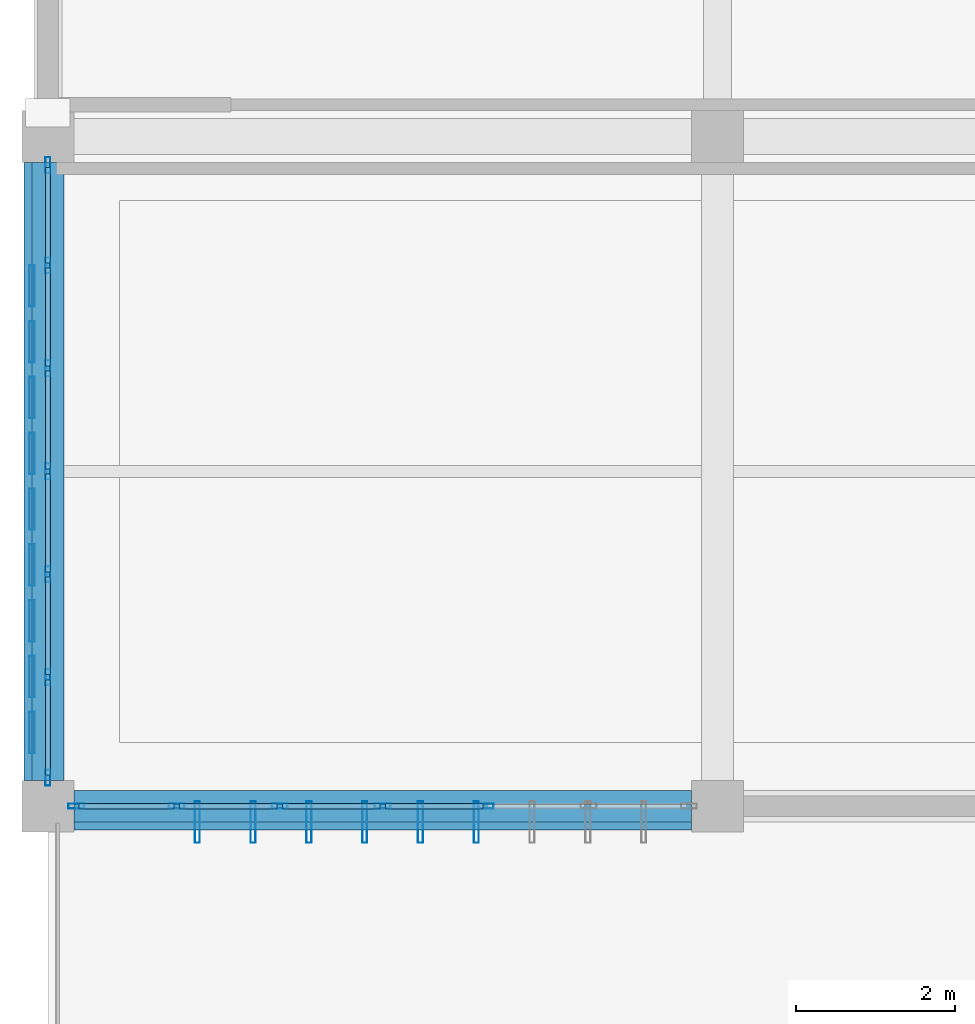
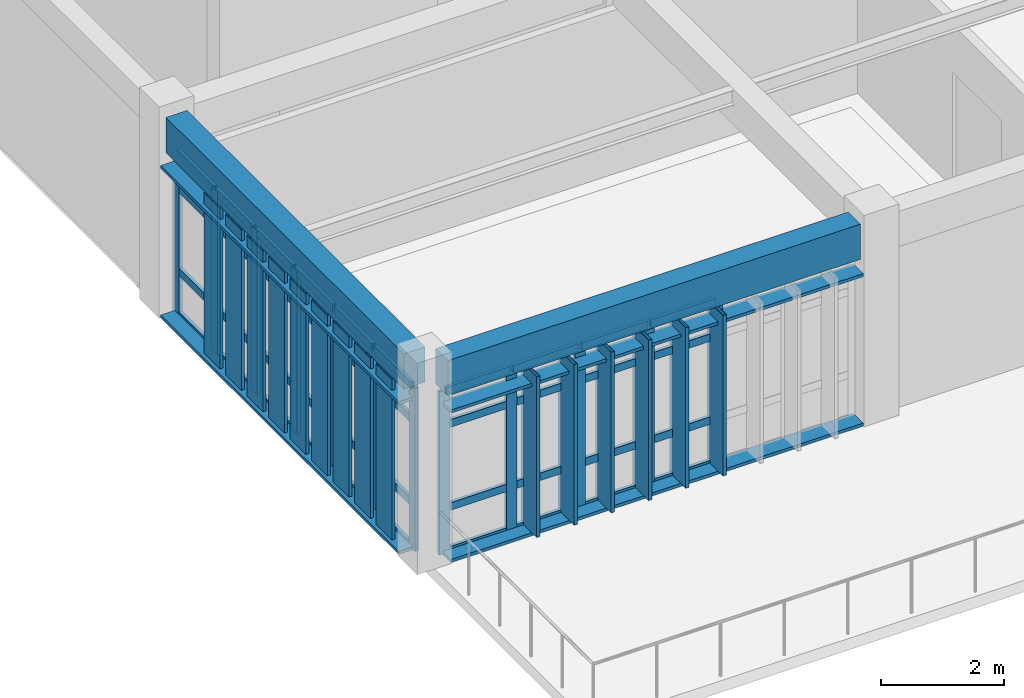
# One storey, part 4 of 23: 71 members, 2 beams, 2 elements without a shape of their own.
"""IFC4 building model written with IfcOpenShell, lengths in metres."""

import ifcopenshell
import ifcopenshell.guid

model = None  # the IFC model being written
_history = None  # IfcOwnerHistory: only IFC2X3 demands one
_inside = {}  # id of a spatial element -> (the spatial element, [elements in it])
_under = {}  # id of a project, library or spatial element -> (it, [spatial elements below it])
_declared = {}  # id of a project -> (the project, [libraries it declares])
_typed = {}  # id of a type object -> (the type object, [elements of that type])
_made_of = {}  # id of a material, layer set ... -> (it, [elements and type objects made of it])


def new_model(schema):
    """Start an empty IFC model of exactly this schema.

    Asked for "IFC4X3", IfcOpenShell would pick the latest addendum, in which some entities
    have other attributes; the version numbers below select the first issue.
    IFC2X3 requires an IfcOwnerHistory on every rooted entity: one is made here for all.
    """
    global model, _history
    if schema == "IFC4X3":
        model = ifcopenshell.file(schema_version=(4, 3, 0, 0))
    else:
        model = ifcopenshell.file(schema=schema)
    _inside.clear()
    _under.clear()
    _declared.clear()
    _typed.clear()
    _made_of.clear()
    _history = None
    if model.schema == "IFC2X3":
        org = make("IfcOrganization", Name="unknown")
        user = make(
            "IfcPersonAndOrganization",
            ThePerson=make("IfcPerson", FamilyName="unknown"),
            TheOrganization=org,
        )
        app = make(
            "IfcApplication",
            ApplicationDeveloper=org,
            Version="unknown",
            ApplicationFullName="unknown",
            ApplicationIdentifier="unknown",
        )
        _history = make(
            "IfcOwnerHistory",
            OwningUser=user,
            OwningApplication=app,
            ChangeAction="ADDED",
            CreationDate=0,
        )
    return model


def make(cls, **values):
    """One entity of the class cls with the attributes given. An attribute that is None is left unset."""
    return model.create_entity(
        cls, **{name: value for name, value in values.items() if value is not None}
    )


def rooted(cls, **values):
    """An entity with a GlobalId (a new one), such as an element, a storey or a relation."""
    return make(cls, GlobalId=ifcopenshell.guid.new(), OwnerHistory=_history, **values)


def si_unit(unit_type, name, prefix=None):
    """IfcSIUnit, for example si_unit("LENGTHUNIT", "METRE", prefix="MILLI")."""
    return make("IfcSIUnit", UnitType=unit_type, Prefix=prefix, Name=name)


def assignment(units):
    """IfcUnitAssignment: the units of a project."""
    return None if units is None else make("IfcUnitAssignment", Units=units)


def point(xyz):
    """IfcCartesianPoint."""
    return None if xyz is None else make("IfcCartesianPoint", Coordinates=xyz)


def direction(xyz):
    """IfcDirection."""
    return None if xyz is None else make("IfcDirection", DirectionRatios=xyz)


def frame(location, z_axis=None, x_axis=None):
    """IfcAxis2Placement3D, a coordinate frame: its origin and axes. An axis left out is left unset."""
    return make(
        "IfcAxis2Placement3D",
        Location=point(location),
        Axis=direction(z_axis),
        RefDirection=direction(x_axis),
    )


def frame_2d(location, x_axis=None):
    """IfcAxis2Placement2D, a coordinate frame in the plane: its origin and x axis."""
    return make(
        "IfcAxis2Placement2D", Location=point(location), RefDirection=direction(x_axis)
    )


def origin():
    """The frame at (0, 0, 0) with its axes left unset."""
    return frame((0.0, 0.0, 0.0))


def origin_2d():
    """The frame at (0, 0) in the plane with its x axis left unset."""
    return frame_2d((0.0, 0.0))


def place(relative_to, where):
    """IfcLocalPlacement: puts the frame where relative to a parent placement (None: the world)."""
    return make(
        "IfcLocalPlacement", PlacementRelTo=relative_to, RelativePlacement=where
    )


def context(
    kind, dimensions, precision=None, world=None, true_north=None, identifier=None
):
    """IfcGeometricRepresentationContext, for example the 3D "Model" context."""
    return make(
        "IfcGeometricRepresentationContext",
        ContextIdentifier=identifier,
        ContextType=kind,
        CoordinateSpaceDimension=dimensions,
        Precision=precision,
        WorldCoordinateSystem=world,
        TrueNorth=true_north,
    )


def subcontext(parent, identifier, kind, view, scale=None):
    """IfcGeometricRepresentationSubContext, for example "Body" below "Model"."""
    return make(
        "IfcGeometricRepresentationSubContext",
        ContextIdentifier=identifier,
        ContextType=kind,
        ParentContext=parent,
        TargetScale=scale,
        TargetView=view,
    )


def project(units=None, contexts=None):
    """IfcProject with its units and contexts."""
    return rooted(
        "IfcProject",
        Name="project",
        RepresentationContexts=contexts,
        UnitsInContext=assignment(units),
    )


def spatial(cls, under=None, at=None, **own):
    """A site, building, storey or space (cls), placed at a placement, below another one or the project."""
    s = rooted(cls, ObjectPlacement=at, **own)
    if under is not None:
        _under.setdefault(under.id(), (under, []))[1].append(s)
    return s


def profile(cls, at=None, kind="AREA", **sizes):
    """A parametric profile (cls). Its sizes go by their IFC names, for example OverallWidth=200.0."""
    return make(cls, ProfileType=kind, Position=at, **sizes)


def rectangle(**sizes):
    """IfcRectangleProfileDef."""
    return profile("IfcRectangleProfileDef", **sizes)


def hollow_rectangle(**sizes):
    """IfcRectangleHollowProfileDef."""
    return profile("IfcRectangleHollowProfileDef", **sizes)


def extrude(swept, where, along, depth):
    """IfcExtrudedAreaSolid: the profile swept, set in the frame where, extruded along a direction by depth."""
    return make(
        "IfcExtrudedAreaSolid",
        SweptArea=swept,
        Position=where,
        ExtrudedDirection=direction(along),
        Depth=depth,
    )


def shape(context_of_items, identifier, shape_type, items):
    """IfcShapeRepresentation: the items that make up one representation, for example the "Body"."""
    return make(
        "IfcShapeRepresentation",
        ContextOfItems=context_of_items,
        RepresentationIdentifier=identifier,
        RepresentationType=shape_type,
        Items=items,
    )


def material(Name=None, Category=None):
    """IfcMaterial."""
    return make("IfcMaterial", Name=Name, Category=Category)


def layer(
    of_material, thickness, ventilated=None, Name=None, Category=None, Priority=None
):
    """IfcMaterialLayer: one layer of a wall or slab, of a material (None: an air gap)."""
    return make(
        "IfcMaterialLayer",
        Material=of_material,
        LayerThickness=thickness,
        IsVentilated=ventilated,
        Name=Name,
        Category=Category,
        Priority=Priority,
    )


def layer_set(layers, Name=None):
    """IfcMaterialLayerSet."""
    return make("IfcMaterialLayerSet", MaterialLayers=layers, LayerSetName=Name)


def material_profile(
    of_material, cross_section, Name=None, Category=None, Priority=None
):
    """IfcMaterialProfile: a cross section and its material."""
    return make(
        "IfcMaterialProfile",
        Name=Name,
        Material=of_material,
        Profile=cross_section,
        Priority=Priority,
        Category=Category,
    )


def profile_set(profiles, Name=None, composite=None):
    """IfcMaterialProfileSet."""
    return make(
        "IfcMaterialProfileSet",
        Name=Name,
        MaterialProfiles=profiles,
        CompositeProfile=composite,
    )


def made_of(thing, what):
    """Note that an element or type object is made of a material, layer set ...; save() writes the relation."""
    if what is not None:
        _made_of.setdefault(what.id(), (what, []))[1].append(thing)
    return thing


def type_object(cls, material=None, **own):
    """A type object (cls), such as IfcWallType, which elements share."""
    return made_of(rooted(cls, **own), material)


def element(
    cls,
    number,
    at=None,
    inside=None,
    cuts=None,
    type_object=None,
    material=None,
    context=None,
    identifier="Body",
    shape_type=None,
    held_by="IfcProductDefinitionShape",
    body=None,
    shapes=None,
    **own,
):
    """One element of the class cls, such as IfcWall. Its Tag is "e" and its number.

    at: its placement. inside: the storey or other place that contains it. cuts: it is an
    opening in that element (IfcRelVoidsElement). A single representation is given by context,
    identifier, shape_type and body (its items); several are given by shapes. held_by: the class
    of the entity that holds the representations. save() writes the other relations.
    """
    e = rooted(cls, Tag="e%d" % number, ObjectPlacement=at, **own)
    if body is not None:
        shapes = [shape(context, identifier, shape_type, body)]
    if shapes is not None:
        e.Representation = make(held_by, Representations=shapes)
    if inside is not None:
        _inside.setdefault(inside.id(), (inside, []))[1].append(e)
    if cuts is not None:
        rooted(
            "IfcRelVoidsElement", RelatingBuildingElement=cuts, RelatedOpeningElement=e
        )
    if type_object is not None:
        _typed.setdefault(type_object.id(), (type_object, []))[1].append(e)
    return made_of(e, material)


def aggregate(whole, parts):
    """IfcRelAggregates: a whole, such as a stair, and the parts it consists of."""
    return rooted("IfcRelAggregates", RelatingObject=whole, RelatedObjects=parts)


def save(model, path):
    """Write the relations noted so far, then the file.

    IfcRelAggregates (storeys below a building ...), IfcRelContainedInSpatialStructure (elements
    in a storey), IfcRelDefinesByType, IfcRelAssociatesMaterial and IfcRelDeclares: one each for
    every whole, place, type object, material and project.
    """
    for whole, parts in _under.values():
        aggregate(whole, parts)
    for where, things in _inside.values():
        rooted(
            "IfcRelContainedInSpatialStructure",
            RelatedElements=things,
            RelatingStructure=where,
        )
    for kind, things in _typed.values():
        rooted("IfcRelDefinesByType", RelatedObjects=things, RelatingType=kind)
    for what, things in _made_of.values():
        rooted("IfcRelAssociatesMaterial", RelatedObjects=things, RelatingMaterial=what)
    for by, libraries in _declared.values():
        rooted("IfcRelDeclares", RelatingContext=by, RelatedDefinitions=libraries)
    model.write(path)


model = new_model("IFC4")

# Units and contexts
model_context = context("Model", 3, precision=1e-05, world=origin(), true_north=direction((0.0, 1.0)))
body_context = subcontext(model_context, "Body", "Model", "MODEL_VIEW")
ifc_project = project(units=[si_unit("LENGTHUNIT", "METRE"), si_unit("AREAUNIT", "SQUARE_METRE"), si_unit("VOLUMEUNIT", "CUBIC_METRE"), si_unit("PLANEANGLEUNIT", "RADIAN"), si_unit("MASSUNIT", "GRAM", prefix="KILO")], contexts=[model_context])

# Site, building, storey
site_placement = place(None, origin())
site = spatial("IfcSite", under=ifc_project, at=site_placement, CompositionType="ELEMENT")
building_placement = place(site_placement, origin())
building = spatial("IfcBuilding", under=site, at=building_placement, Name="Krzemoval Escarpment Law Courts", CompositionType="ELEMENT")
storey_placement = place(building_placement, frame((0.0, 0.0, 25.199951171875)))
storey = spatial("IfcBuildingStorey", under=building, at=storey_placement, Name="L05", CompositionType="ELEMENT", Elevation=25.199951171875)

# Beams
ifc_material_1 = material(Name="Concrete C40/50", Category="concrete")
ifc_material_profile_1 = material_profile(ifc_material_1, rectangle(XDim=0.39990234375, YDim=0.699951171875, at=origin_2d()), Name="RCB 400x700")
ifc_profile_set_1 = profile_set([ifc_material_profile_1], Name="Concrete C40/50")
beam_type = type_object("IfcBeamType", Name="BM-RC-400x700", PredefinedType="BEAM", material=ifc_profile_set_1)
for number, where, z_axis, x_axis, name in (
    (1, (126.324951171875, 85.199951171875, 3.60009765625), (1.0, 0.0, 0.0), (0.0, 1.0, 0.0), "Beam FG-L05-2566"),
    (2, (126.0, 85.52490234375, 3.60009765625), (0.0, 1.0, 0.0), (-1.0, 0.0, 0.0), "Beam FG-L05-2597"),
):
    element("IfcBeam", number, at=place(storey_placement, frame(where, z_axis=z_axis, x_axis=x_axis)), inside=storey, type_object=beam_type, Name=name, PredefinedType="BEAM", context=body_context, shape_type="SweptSolid", body=[
        extrude(rectangle(XDim=0.39990234375, YDim=0.699951171875, at=origin_2d()), origin(), (0.0, 0.0, 1.0), 7.75),
    ])

# Curtain wall, members
ifc_material_2 = material(Name="Aluminium 6063-T6", Category="aluminium")
ifc_layer = layer(ifc_material_2, 0.219970703125)
ifc_layer_set = layer_set([ifc_layer], Name="Aluminium 6063-T6")
curtain_wall_type = type_object("IfcCurtainWallType", Name="CW-CHMB-4200", PredefinedType="USERDEFINED", material=ifc_layer_set)
curtain_wall_1_placement = place(storey_placement, origin())
curtain_wall_1 = element("IfcCurtainWall", 3, at=curtain_wall_1_placement, inside=storey, type_object=curtain_wall_type, Name="Unitised Curtain Wall FCW-L05-133", ObjectType="UNITISED_CURTAIN_WALL", PredefinedType="USERDEFINED")
ifc_material_3 = material(Name="Aluminium 6063-T6", Category="aluminium")
ifc_material_profile_2 = material_profile(ifc_material_3, hollow_rectangle(XDim=0.06494140625, YDim=0.199951171875, WallThickness=0.00439453125, at=origin_2d()), Name="ALU M65x200")
ifc_profile_set_2 = profile_set([ifc_material_profile_2], Name="Aluminium 6063-T6")
member_type_1 = type_object("IfcMemberType", Name="CWM-65x200", PredefinedType="MULLION", material=ifc_profile_set_2)
member_1_placement = place(storey_placement, frame((131.49169921875, 85.199951171875, 0.0), z_axis=(0.0, 0.0, 1.0), x_axis=(0.0, -1.0, 0.0)))
member_1 = element("IfcMember", 4, at=member_1_placement, type_object=member_type_1, Name="FCW-L05-133 mullion 3", PredefinedType="MULLION", context=body_context, shape_type="SweptSolid", body=[
    extrude(hollow_rectangle(XDim=0.06494140625, YDim=0.199951171875, WallThickness=0.00439453125, at=origin_2d()), origin(), (0.0, 0.0, 1.0), 3.25),
])
member_2_placement = place(storey_placement, frame((130.199951171875, 85.199951171875, 0.0), z_axis=(0.0, 0.0, 1.0), x_axis=(0.0, -1.0, 0.0)))
member_2 = element("IfcMember", 5, at=member_2_placement, type_object=member_type_1, Name="FCW-L05-133 mullion 4", PredefinedType="MULLION", context=body_context, shape_type="SweptSolid", body=[
    extrude(hollow_rectangle(XDim=0.06494140625, YDim=0.199951171875, WallThickness=0.00439453125, at=origin_2d()), origin(), (0.0, 0.0, 1.0), 3.25),
])
member_3_placement = place(storey_placement, frame((128.908447265625, 85.199951171875, 0.0), z_axis=(0.0, 0.0, 1.0), x_axis=(0.0, -1.0, 0.0)))
member_3 = element("IfcMember", 6, at=member_3_placement, type_object=member_type_1, Name="FCW-L05-133 mullion 5", PredefinedType="MULLION", context=body_context, shape_type="SweptSolid", body=[
    extrude(hollow_rectangle(XDim=0.06494140625, YDim=0.199951171875, WallThickness=0.00439453125, at=origin_2d()), origin(), (0.0, 0.0, 1.0), 3.25),
])
member_4_placement = place(storey_placement, frame((127.61669921875, 85.199951171875, 0.0), z_axis=(0.0, 0.0, 1.0), x_axis=(0.0, -1.0, 0.0)))
member_4 = element("IfcMember", 7, at=member_4_placement, type_object=member_type_1, Name="FCW-L05-133 mullion 6", PredefinedType="MULLION", context=body_context, shape_type="SweptSolid", body=[
    extrude(hollow_rectangle(XDim=0.06494140625, YDim=0.199951171875, WallThickness=0.00439453125, at=origin_2d()), origin(), (0.0, 0.0, 1.0), 3.25),
])
member_5_placement = place(storey_placement, frame((126.357421875, 85.199951171875, 0.0), z_axis=(0.0, 0.0, 1.0), x_axis=(0.0, -1.0, 0.0)))
member_5 = element("IfcMember", 8, at=member_5_placement, type_object=member_type_1, Name="FCW-L05-133 mullion 7", PredefinedType="MULLION", context=body_context, shape_type="SweptSolid", body=[
    extrude(hollow_rectangle(XDim=0.06494140625, YDim=0.199951171875, WallThickness=0.00439453125, at=origin_2d()), origin(), (0.0, 0.0, 1.0), 3.25),
])

curtain_wall_2_placement = place(storey_placement, origin())
curtain_wall_2 = element("IfcCurtainWall", 9, at=curtain_wall_2_placement, inside=storey, type_object=curtain_wall_type, Name="Unitised Curtain Wall FCW-L05-134", ObjectType="UNITISED_CURTAIN_WALL", PredefinedType="USERDEFINED")
member_6_placement = place(storey_placement, frame((126.0, 85.5576171875, 0.0), z_axis=(0.0, 0.0, 1.0), x_axis=(-1.0, 0.0, 0.0)))
member_6 = element("IfcMember", 10, at=member_6_placement, type_object=member_type_1, Name="FCW-L05-134 mullion 1", PredefinedType="MULLION", context=body_context, shape_type="SweptSolid", body=[
    extrude(hollow_rectangle(XDim=0.06494140625, YDim=0.199951171875, WallThickness=0.00439453125, at=origin_2d()), origin(), (0.0, 0.0, 1.0), 3.25),
])
member_7_placement = place(storey_placement, frame((126.0, 86.816650390625, 0.0), z_axis=(0.0, 0.0, 1.0), x_axis=(-1.0, 0.0, 0.0)))
member_7 = element("IfcMember", 11, at=member_7_placement, type_object=member_type_1, Name="FCW-L05-134 mullion 2", PredefinedType="MULLION", context=body_context, shape_type="SweptSolid", body=[
    extrude(hollow_rectangle(XDim=0.06494140625, YDim=0.199951171875, WallThickness=0.00439453125, at=origin_2d()), origin(), (0.0, 0.0, 1.0), 3.25),
])
member_8_placement = place(storey_placement, frame((126.0, 88.1083984375, 0.0), z_axis=(0.0, 0.0, 1.0), x_axis=(-1.0, 0.0, 0.0)))
member_8 = element("IfcMember", 12, at=member_8_placement, type_object=member_type_1, Name="FCW-L05-134 mullion 3", PredefinedType="MULLION", context=body_context, shape_type="SweptSolid", body=[
    extrude(hollow_rectangle(XDim=0.06494140625, YDim=0.199951171875, WallThickness=0.00439453125, at=origin_2d()), origin(), (0.0, 0.0, 1.0), 3.25),
])
member_9_placement = place(storey_placement, frame((126.0, 89.39990234375, 0.0), z_axis=(0.0, 0.0, 1.0), x_axis=(-1.0, 0.0, 0.0)))
member_9 = element("IfcMember", 13, at=member_9_placement, type_object=member_type_1, Name="FCW-L05-134 mullion 4", PredefinedType="MULLION", context=body_context, shape_type="SweptSolid", body=[
    extrude(hollow_rectangle(XDim=0.06494140625, YDim=0.199951171875, WallThickness=0.00439453125, at=origin_2d()), origin(), (0.0, 0.0, 1.0), 3.25),
])
member_10_placement = place(storey_placement, frame((126.0, 90.691650390625, 0.0), z_axis=(0.0, 0.0, 1.0), x_axis=(-1.0, 0.0, 0.0)))
member_10 = element("IfcMember", 14, at=member_10_placement, type_object=member_type_1, Name="FCW-L05-134 mullion 5", PredefinedType="MULLION", context=body_context, shape_type="SweptSolid", body=[
    extrude(hollow_rectangle(XDim=0.06494140625, YDim=0.199951171875, WallThickness=0.00439453125, at=origin_2d()), origin(), (0.0, 0.0, 1.0), 3.25),
])
member_11_placement = place(storey_placement, frame((126.0, 91.9833984375, 0.0), z_axis=(0.0, 0.0, 1.0), x_axis=(-1.0, 0.0, 0.0)))
member_11 = element("IfcMember", 15, at=member_11_placement, type_object=member_type_1, Name="FCW-L05-134 mullion 6", PredefinedType="MULLION", context=body_context, shape_type="SweptSolid", body=[
    extrude(hollow_rectangle(XDim=0.06494140625, YDim=0.199951171875, WallThickness=0.00439453125, at=origin_2d()), origin(), (0.0, 0.0, 1.0), 3.25),
])
member_12_placement = place(storey_placement, frame((126.0, 93.242431640625, 0.0), z_axis=(0.0, 0.0, 1.0), x_axis=(-1.0, 0.0, 0.0)))
member_12 = element("IfcMember", 16, at=member_12_placement, type_object=member_type_1, Name="FCW-L05-134 mullion 7", PredefinedType="MULLION", context=body_context, shape_type="SweptSolid", body=[
    extrude(hollow_rectangle(XDim=0.06494140625, YDim=0.199951171875, WallThickness=0.00439453125, at=origin_2d()), origin(), (0.0, 0.0, 1.0), 3.25),
])

# Member
ifc_material_4 = material(Name="Aluminium 6063-T6", Category="aluminium")
ifc_material_profile_3 = material_profile(ifc_material_4, hollow_rectangle(XDim=0.06494140625, YDim=0.14990234375, WallThickness=0.00439453125, at=origin_2d()), Name="ALU T65x150")
ifc_profile_set_3 = profile_set([ifc_material_profile_3], Name="Aluminium 6063-T6")
member_type_2 = type_object("IfcMemberType", Name="CWT-65x150", PredefinedType="USERDEFINED", material=ifc_profile_set_3)
member_13_placement = place(storey_placement, frame((131.459228515625, 85.199951171875, 0.032470703125), z_axis=(-1.0, 0.0, 0.0), x_axis=(0.0, -1.0, 0.0)))
member_13 = element("IfcMember", 17, at=member_13_placement, type_object=member_type_2, Name="FCW-L05-133 transom 3.1", ObjectType="TRANSOM", PredefinedType="USERDEFINED", context=body_context, shape_type="SweptSolid", body=[
    extrude(hollow_rectangle(XDim=0.06494140625, YDim=0.14990234375, WallThickness=0.00439453125, at=origin_2d()), origin(), (0.0, 0.0, 1.0), 1.226806640625),
])

member_14_placement = place(storey_placement, frame((131.459228515625, 85.199951171875, 0.900146484375), z_axis=(-1.0, 0.0, 0.0), x_axis=(0.0, -1.0, 0.0)))
member_14 = element("IfcMember", 18, at=member_14_placement, type_object=member_type_2, Name="FCW-L05-133 transom 3.2", ObjectType="TRANSOM", PredefinedType="USERDEFINED", context=body_context, shape_type="SweptSolid", body=[
    extrude(hollow_rectangle(XDim=0.06494140625, YDim=0.14990234375, WallThickness=0.00439453125, at=origin_2d()), origin(), (0.0, 0.0, 1.0), 1.226806640625),
])

member_15_placement = place(storey_placement, frame((131.459228515625, 85.199951171875, 2.550048828125), z_axis=(-1.0, 0.0, 0.0), x_axis=(0.0, -1.0, 0.0)))
member_15 = element("IfcMember", 19, at=member_15_placement, type_object=member_type_2, Name="FCW-L05-133 transom 3.3", ObjectType="TRANSOM", PredefinedType="USERDEFINED", context=body_context, shape_type="SweptSolid", body=[
    extrude(hollow_rectangle(XDim=0.06494140625, YDim=0.14990234375, WallThickness=0.00439453125, at=origin_2d()), origin(), (0.0, 0.0, 1.0), 1.226806640625),
])

member_16_placement = place(storey_placement, frame((131.459228515625, 85.199951171875, 3.217529296875), z_axis=(-1.0, 0.0, 0.0), x_axis=(0.0, -1.0, 0.0)))
member_16 = element("IfcMember", 20, at=member_16_placement, type_object=member_type_2, Name="FCW-L05-133 transom 3.4", ObjectType="TRANSOM", PredefinedType="USERDEFINED", context=body_context, shape_type="SweptSolid", body=[
    extrude(hollow_rectangle(XDim=0.06494140625, YDim=0.14990234375, WallThickness=0.00439453125, at=origin_2d()), origin(), (0.0, 0.0, 1.0), 1.226806640625),
])

member_17_placement = place(storey_placement, frame((130.16748046875, 85.199951171875, 0.032470703125), z_axis=(-1.0, 0.0, 0.0), x_axis=(0.0, -1.0, 0.0)))
member_17 = element("IfcMember", 21, at=member_17_placement, type_object=member_type_2, Name="FCW-L05-133 transom 4.1", ObjectType="TRANSOM", PredefinedType="USERDEFINED", context=body_context, shape_type="SweptSolid", body=[
    extrude(hollow_rectangle(XDim=0.06494140625, YDim=0.14990234375, WallThickness=0.00439453125, at=origin_2d()), origin(), (0.0, 0.0, 1.0), 1.2265625),
])

member_18_placement = place(storey_placement, frame((130.16748046875, 85.199951171875, 0.900146484375), z_axis=(-1.0, 0.0, 0.0), x_axis=(0.0, -1.0, 0.0)))
member_18 = element("IfcMember", 22, at=member_18_placement, type_object=member_type_2, Name="FCW-L05-133 transom 4.2", ObjectType="TRANSOM", PredefinedType="USERDEFINED", context=body_context, shape_type="SweptSolid", body=[
    extrude(hollow_rectangle(XDim=0.06494140625, YDim=0.14990234375, WallThickness=0.00439453125, at=origin_2d()), origin(), (0.0, 0.0, 1.0), 1.2265625),
])

member_19_placement = place(storey_placement, frame((130.16748046875, 85.199951171875, 2.550048828125), z_axis=(-1.0, 0.0, 0.0), x_axis=(0.0, -1.0, 0.0)))
member_19 = element("IfcMember", 23, at=member_19_placement, type_object=member_type_2, Name="FCW-L05-133 transom 4.3", ObjectType="TRANSOM", PredefinedType="USERDEFINED", context=body_context, shape_type="SweptSolid", body=[
    extrude(hollow_rectangle(XDim=0.06494140625, YDim=0.14990234375, WallThickness=0.00439453125, at=origin_2d()), origin(), (0.0, 0.0, 1.0), 1.2265625),
])

member_20_placement = place(storey_placement, frame((130.16748046875, 85.199951171875, 3.217529296875), z_axis=(-1.0, 0.0, 0.0), x_axis=(0.0, -1.0, 0.0)))
member_20 = element("IfcMember", 24, at=member_20_placement, type_object=member_type_2, Name="FCW-L05-133 transom 4.4", ObjectType="TRANSOM", PredefinedType="USERDEFINED", context=body_context, shape_type="SweptSolid", body=[
    extrude(hollow_rectangle(XDim=0.06494140625, YDim=0.14990234375, WallThickness=0.00439453125, at=origin_2d()), origin(), (0.0, 0.0, 1.0), 1.2265625),
])

member_21_placement = place(storey_placement, frame((128.875732421875, 85.199951171875, 0.032470703125), z_axis=(-1.0, 0.0, 0.0), x_axis=(0.0, -1.0, 0.0)))
member_21 = element("IfcMember", 25, at=member_21_placement, type_object=member_type_2, Name="FCW-L05-133 transom 5.1", ObjectType="TRANSOM", PredefinedType="USERDEFINED", context=body_context, shape_type="SweptSolid", body=[
    extrude(hollow_rectangle(XDim=0.06494140625, YDim=0.14990234375, WallThickness=0.00439453125, at=origin_2d()), origin(), (0.0, 0.0, 1.0), 1.2265625),
])

member_22_placement = place(storey_placement, frame((128.875732421875, 85.199951171875, 0.900146484375), z_axis=(-1.0, 0.0, 0.0), x_axis=(0.0, -1.0, 0.0)))
member_22 = element("IfcMember", 26, at=member_22_placement, type_object=member_type_2, Name="FCW-L05-133 transom 5.2", ObjectType="TRANSOM", PredefinedType="USERDEFINED", context=body_context, shape_type="SweptSolid", body=[
    extrude(hollow_rectangle(XDim=0.06494140625, YDim=0.14990234375, WallThickness=0.00439453125, at=origin_2d()), origin(), (0.0, 0.0, 1.0), 1.2265625),
])

member_23_placement = place(storey_placement, frame((128.875732421875, 85.199951171875, 2.550048828125), z_axis=(-1.0, 0.0, 0.0), x_axis=(0.0, -1.0, 0.0)))
member_23 = element("IfcMember", 27, at=member_23_placement, type_object=member_type_2, Name="FCW-L05-133 transom 5.3", ObjectType="TRANSOM", PredefinedType="USERDEFINED", context=body_context, shape_type="SweptSolid", body=[
    extrude(hollow_rectangle(XDim=0.06494140625, YDim=0.14990234375, WallThickness=0.00439453125, at=origin_2d()), origin(), (0.0, 0.0, 1.0), 1.2265625),
])

member_24_placement = place(storey_placement, frame((128.875732421875, 85.199951171875, 3.217529296875), z_axis=(-1.0, 0.0, 0.0), x_axis=(0.0, -1.0, 0.0)))
member_24 = element("IfcMember", 28, at=member_24_placement, type_object=member_type_2, Name="FCW-L05-133 transom 5.4", ObjectType="TRANSOM", PredefinedType="USERDEFINED", context=body_context, shape_type="SweptSolid", body=[
    extrude(hollow_rectangle(XDim=0.06494140625, YDim=0.14990234375, WallThickness=0.00439453125, at=origin_2d()), origin(), (0.0, 0.0, 1.0), 1.2265625),
])

member_25_placement = place(storey_placement, frame((127.584228515625, 85.199951171875, 0.032470703125), z_axis=(-1.0, 0.0, 0.0), x_axis=(0.0, -1.0, 0.0)))
member_25 = element("IfcMember", 29, at=member_25_placement, type_object=member_type_2, Name="FCW-L05-133 transom 6.1", ObjectType="TRANSOM", PredefinedType="USERDEFINED", context=body_context, shape_type="SweptSolid", body=[
    extrude(hollow_rectangle(XDim=0.06494140625, YDim=0.14990234375, WallThickness=0.00439453125, at=origin_2d()), origin(), (0.0, 0.0, 1.0), 1.1943359375),
])

member_26_placement = place(storey_placement, frame((127.584228515625, 85.199951171875, 0.900146484375), z_axis=(-1.0, 0.0, 0.0), x_axis=(0.0, -1.0, 0.0)))
member_26 = element("IfcMember", 30, at=member_26_placement, type_object=member_type_2, Name="FCW-L05-133 transom 6.2", ObjectType="TRANSOM", PredefinedType="USERDEFINED", context=body_context, shape_type="SweptSolid", body=[
    extrude(hollow_rectangle(XDim=0.06494140625, YDim=0.14990234375, WallThickness=0.00439453125, at=origin_2d()), origin(), (0.0, 0.0, 1.0), 1.1943359375),
])

member_27_placement = place(storey_placement, frame((127.584228515625, 85.199951171875, 2.550048828125), z_axis=(-1.0, 0.0, 0.0), x_axis=(0.0, -1.0, 0.0)))
member_27 = element("IfcMember", 31, at=member_27_placement, type_object=member_type_2, Name="FCW-L05-133 transom 6.3", ObjectType="TRANSOM", PredefinedType="USERDEFINED", context=body_context, shape_type="SweptSolid", body=[
    extrude(hollow_rectangle(XDim=0.06494140625, YDim=0.14990234375, WallThickness=0.00439453125, at=origin_2d()), origin(), (0.0, 0.0, 1.0), 1.1943359375),
])

member_28_placement = place(storey_placement, frame((127.584228515625, 85.199951171875, 3.217529296875), z_axis=(-1.0, 0.0, 0.0), x_axis=(0.0, -1.0, 0.0)))
member_28 = element("IfcMember", 32, at=member_28_placement, type_object=member_type_2, Name="FCW-L05-133 transom 6.4", ObjectType="TRANSOM", PredefinedType="USERDEFINED", context=body_context, shape_type="SweptSolid", body=[
    extrude(hollow_rectangle(XDim=0.06494140625, YDim=0.14990234375, WallThickness=0.00439453125, at=origin_2d()), origin(), (0.0, 0.0, 1.0), 1.1943359375),
])

aggregate(curtain_wall_1, [member_1, member_2, member_3, member_4, member_5, member_13, member_14, member_15, member_16, member_17, member_18, member_19, member_20, member_21, member_22, member_23, member_24, member_25, member_26, member_27, member_28])

member_29_placement = place(storey_placement, frame((126.0, 85.590087890625, 0.032470703125), z_axis=(0.0, 1.0, 0.0), x_axis=(-1.0, 0.0, 0.0)))
member_29 = element("IfcMember", 33, at=member_29_placement, type_object=member_type_2, Name="FCW-L05-134 transom 1.1", ObjectType="TRANSOM", PredefinedType="USERDEFINED", context=body_context, shape_type="SweptSolid", body=[
    extrude(hollow_rectangle(XDim=0.06494140625, YDim=0.14990234375, WallThickness=0.00439453125, at=origin_2d()), origin(), (0.0, 0.0, 1.0), 1.194091796875),
])

member_30_placement = place(storey_placement, frame((126.0, 85.590087890625, 0.900146484375), z_axis=(0.0, 1.0, 0.0), x_axis=(-1.0, 0.0, 0.0)))
member_30 = element("IfcMember", 34, at=member_30_placement, type_object=member_type_2, Name="FCW-L05-134 transom 1.2", ObjectType="TRANSOM", PredefinedType="USERDEFINED", context=body_context, shape_type="SweptSolid", body=[
    extrude(hollow_rectangle(XDim=0.06494140625, YDim=0.14990234375, WallThickness=0.00439453125, at=origin_2d()), origin(), (0.0, 0.0, 1.0), 1.194091796875),
])

member_31_placement = place(storey_placement, frame((126.0, 85.590087890625, 2.550048828125), z_axis=(0.0, 1.0, 0.0), x_axis=(-1.0, 0.0, 0.0)))
member_31 = element("IfcMember", 35, at=member_31_placement, type_object=member_type_2, Name="FCW-L05-134 transom 1.3", ObjectType="TRANSOM", PredefinedType="USERDEFINED", context=body_context, shape_type="SweptSolid", body=[
    extrude(hollow_rectangle(XDim=0.06494140625, YDim=0.14990234375, WallThickness=0.00439453125, at=origin_2d()), origin(), (0.0, 0.0, 1.0), 1.194091796875),
])

member_32_placement = place(storey_placement, frame((126.0, 85.590087890625, 3.217529296875), z_axis=(0.0, 1.0, 0.0), x_axis=(-1.0, 0.0, 0.0)))
member_32 = element("IfcMember", 36, at=member_32_placement, type_object=member_type_2, Name="FCW-L05-134 transom 1.4", ObjectType="TRANSOM", PredefinedType="USERDEFINED", context=body_context, shape_type="SweptSolid", body=[
    extrude(hollow_rectangle(XDim=0.06494140625, YDim=0.14990234375, WallThickness=0.00439453125, at=origin_2d()), origin(), (0.0, 0.0, 1.0), 1.194091796875),
])

member_33_placement = place(storey_placement, frame((126.0, 86.84912109375, 0.032470703125), z_axis=(0.0, 1.0, 0.0), x_axis=(-1.0, 0.0, 0.0)))
member_33 = element("IfcMember", 37, at=member_33_placement, type_object=member_type_2, Name="FCW-L05-134 transom 2.1", ObjectType="TRANSOM", PredefinedType="USERDEFINED", context=body_context, shape_type="SweptSolid", body=[
    extrude(hollow_rectangle(XDim=0.06494140625, YDim=0.14990234375, WallThickness=0.00439453125, at=origin_2d()), origin(), (0.0, 0.0, 1.0), 1.226806640625),
])

member_34_placement = place(storey_placement, frame((126.0, 86.84912109375, 0.900146484375), z_axis=(0.0, 1.0, 0.0), x_axis=(-1.0, 0.0, 0.0)))
member_34 = element("IfcMember", 38, at=member_34_placement, type_object=member_type_2, Name="FCW-L05-134 transom 2.2", ObjectType="TRANSOM", PredefinedType="USERDEFINED", context=body_context, shape_type="SweptSolid", body=[
    extrude(hollow_rectangle(XDim=0.06494140625, YDim=0.14990234375, WallThickness=0.00439453125, at=origin_2d()), origin(), (0.0, 0.0, 1.0), 1.226806640625),
])

member_35_placement = place(storey_placement, frame((126.0, 86.84912109375, 2.550048828125), z_axis=(0.0, 1.0, 0.0), x_axis=(-1.0, 0.0, 0.0)))
member_35 = element("IfcMember", 39, at=member_35_placement, type_object=member_type_2, Name="FCW-L05-134 transom 2.3", ObjectType="TRANSOM", PredefinedType="USERDEFINED", context=body_context, shape_type="SweptSolid", body=[
    extrude(hollow_rectangle(XDim=0.06494140625, YDim=0.14990234375, WallThickness=0.00439453125, at=origin_2d()), origin(), (0.0, 0.0, 1.0), 1.226806640625),
])

member_36_placement = place(storey_placement, frame((126.0, 86.84912109375, 3.217529296875), z_axis=(0.0, 1.0, 0.0), x_axis=(-1.0, 0.0, 0.0)))
member_36 = element("IfcMember", 40, at=member_36_placement, type_object=member_type_2, Name="FCW-L05-134 transom 2.4", ObjectType="TRANSOM", PredefinedType="USERDEFINED", context=body_context, shape_type="SweptSolid", body=[
    extrude(hollow_rectangle(XDim=0.06494140625, YDim=0.14990234375, WallThickness=0.00439453125, at=origin_2d()), origin(), (0.0, 0.0, 1.0), 1.226806640625),
])

member_37_placement = place(storey_placement, frame((126.0, 88.140869140625, 0.032470703125), z_axis=(0.0, 1.0, 0.0), x_axis=(-1.0, 0.0, 0.0)))
member_37 = element("IfcMember", 41, at=member_37_placement, type_object=member_type_2, Name="FCW-L05-134 transom 3.1", ObjectType="TRANSOM", PredefinedType="USERDEFINED", context=body_context, shape_type="SweptSolid", body=[
    extrude(hollow_rectangle(XDim=0.06494140625, YDim=0.14990234375, WallThickness=0.00439453125, at=origin_2d()), origin(), (0.0, 0.0, 1.0), 1.2265625),
])

member_38_placement = place(storey_placement, frame((126.0, 88.140869140625, 0.900146484375), z_axis=(0.0, 1.0, 0.0), x_axis=(-1.0, 0.0, 0.0)))
member_38 = element("IfcMember", 42, at=member_38_placement, type_object=member_type_2, Name="FCW-L05-134 transom 3.2", ObjectType="TRANSOM", PredefinedType="USERDEFINED", context=body_context, shape_type="SweptSolid", body=[
    extrude(hollow_rectangle(XDim=0.06494140625, YDim=0.14990234375, WallThickness=0.00439453125, at=origin_2d()), origin(), (0.0, 0.0, 1.0), 1.2265625),
])

member_39_placement = place(storey_placement, frame((126.0, 88.140869140625, 2.550048828125), z_axis=(0.0, 1.0, 0.0), x_axis=(-1.0, 0.0, 0.0)))
member_39 = element("IfcMember", 43, at=member_39_placement, type_object=member_type_2, Name="FCW-L05-134 transom 3.3", ObjectType="TRANSOM", PredefinedType="USERDEFINED", context=body_context, shape_type="SweptSolid", body=[
    extrude(hollow_rectangle(XDim=0.06494140625, YDim=0.14990234375, WallThickness=0.00439453125, at=origin_2d()), origin(), (0.0, 0.0, 1.0), 1.2265625),
])

member_40_placement = place(storey_placement, frame((126.0, 88.140869140625, 3.217529296875), z_axis=(0.0, 1.0, 0.0), x_axis=(-1.0, 0.0, 0.0)))
member_40 = element("IfcMember", 44, at=member_40_placement, type_object=member_type_2, Name="FCW-L05-134 transom 3.4", ObjectType="TRANSOM", PredefinedType="USERDEFINED", context=body_context, shape_type="SweptSolid", body=[
    extrude(hollow_rectangle(XDim=0.06494140625, YDim=0.14990234375, WallThickness=0.00439453125, at=origin_2d()), origin(), (0.0, 0.0, 1.0), 1.2265625),
])

member_41_placement = place(storey_placement, frame((126.0, 89.4326171875, 0.032470703125), z_axis=(0.0, 1.0, 0.0), x_axis=(-1.0, 0.0, 0.0)))
member_41 = element("IfcMember", 45, at=member_41_placement, type_object=member_type_2, Name="FCW-L05-134 transom 4.1", ObjectType="TRANSOM", PredefinedType="USERDEFINED", context=body_context, shape_type="SweptSolid", body=[
    extrude(hollow_rectangle(XDim=0.06494140625, YDim=0.14990234375, WallThickness=0.00439453125, at=origin_2d()), origin(), (0.0, 0.0, 1.0), 1.2265625),
])

member_42_placement = place(storey_placement, frame((126.0, 89.4326171875, 0.900146484375), z_axis=(0.0, 1.0, 0.0), x_axis=(-1.0, 0.0, 0.0)))
member_42 = element("IfcMember", 46, at=member_42_placement, type_object=member_type_2, Name="FCW-L05-134 transom 4.2", ObjectType="TRANSOM", PredefinedType="USERDEFINED", context=body_context, shape_type="SweptSolid", body=[
    extrude(hollow_rectangle(XDim=0.06494140625, YDim=0.14990234375, WallThickness=0.00439453125, at=origin_2d()), origin(), (0.0, 0.0, 1.0), 1.2265625),
])

member_43_placement = place(storey_placement, frame((126.0, 89.4326171875, 2.550048828125), z_axis=(0.0, 1.0, 0.0), x_axis=(-1.0, 0.0, 0.0)))
member_43 = element("IfcMember", 47, at=member_43_placement, type_object=member_type_2, Name="FCW-L05-134 transom 4.3", ObjectType="TRANSOM", PredefinedType="USERDEFINED", context=body_context, shape_type="SweptSolid", body=[
    extrude(hollow_rectangle(XDim=0.06494140625, YDim=0.14990234375, WallThickness=0.00439453125, at=origin_2d()), origin(), (0.0, 0.0, 1.0), 1.2265625),
])

member_44_placement = place(storey_placement, frame((126.0, 89.4326171875, 3.217529296875), z_axis=(0.0, 1.0, 0.0), x_axis=(-1.0, 0.0, 0.0)))
member_44 = element("IfcMember", 48, at=member_44_placement, type_object=member_type_2, Name="FCW-L05-134 transom 4.4", ObjectType="TRANSOM", PredefinedType="USERDEFINED", context=body_context, shape_type="SweptSolid", body=[
    extrude(hollow_rectangle(XDim=0.06494140625, YDim=0.14990234375, WallThickness=0.00439453125, at=origin_2d()), origin(), (0.0, 0.0, 1.0), 1.2265625),
])

member_45_placement = place(storey_placement, frame((126.0, 90.72412109375, 0.032470703125), z_axis=(0.0, 1.0, 0.0), x_axis=(-1.0, 0.0, 0.0)))
member_45 = element("IfcMember", 49, at=member_45_placement, type_object=member_type_2, Name="FCW-L05-134 transom 5.1", ObjectType="TRANSOM", PredefinedType="USERDEFINED", context=body_context, shape_type="SweptSolid", body=[
    extrude(hollow_rectangle(XDim=0.06494140625, YDim=0.14990234375, WallThickness=0.00439453125, at=origin_2d()), origin(), (0.0, 0.0, 1.0), 1.226806640625),
])

member_46_placement = place(storey_placement, frame((126.0, 90.72412109375, 0.900146484375), z_axis=(0.0, 1.0, 0.0), x_axis=(-1.0, 0.0, 0.0)))
member_46 = element("IfcMember", 50, at=member_46_placement, type_object=member_type_2, Name="FCW-L05-134 transom 5.2", ObjectType="TRANSOM", PredefinedType="USERDEFINED", context=body_context, shape_type="SweptSolid", body=[
    extrude(hollow_rectangle(XDim=0.06494140625, YDim=0.14990234375, WallThickness=0.00439453125, at=origin_2d()), origin(), (0.0, 0.0, 1.0), 1.226806640625),
])

member_47_placement = place(storey_placement, frame((126.0, 90.72412109375, 2.550048828125), z_axis=(0.0, 1.0, 0.0), x_axis=(-1.0, 0.0, 0.0)))
member_47 = element("IfcMember", 51, at=member_47_placement, type_object=member_type_2, Name="FCW-L05-134 transom 5.3", ObjectType="TRANSOM", PredefinedType="USERDEFINED", context=body_context, shape_type="SweptSolid", body=[
    extrude(hollow_rectangle(XDim=0.06494140625, YDim=0.14990234375, WallThickness=0.00439453125, at=origin_2d()), origin(), (0.0, 0.0, 1.0), 1.226806640625),
])

member_48_placement = place(storey_placement, frame((126.0, 90.72412109375, 3.217529296875), z_axis=(0.0, 1.0, 0.0), x_axis=(-1.0, 0.0, 0.0)))
member_48 = element("IfcMember", 52, at=member_48_placement, type_object=member_type_2, Name="FCW-L05-134 transom 5.4", ObjectType="TRANSOM", PredefinedType="USERDEFINED", context=body_context, shape_type="SweptSolid", body=[
    extrude(hollow_rectangle(XDim=0.06494140625, YDim=0.14990234375, WallThickness=0.00439453125, at=origin_2d()), origin(), (0.0, 0.0, 1.0), 1.226806640625),
])

member_49_placement = place(storey_placement, frame((126.0, 92.015869140625, 0.032470703125), z_axis=(0.0, 1.0, 0.0), x_axis=(-1.0, 0.0, 0.0)))
member_49 = element("IfcMember", 53, at=member_49_placement, type_object=member_type_2, Name="FCW-L05-134 transom 6.1", ObjectType="TRANSOM", PredefinedType="USERDEFINED", context=body_context, shape_type="SweptSolid", body=[
    extrude(hollow_rectangle(XDim=0.06494140625, YDim=0.14990234375, WallThickness=0.00439453125, at=origin_2d()), origin(), (0.0, 0.0, 1.0), 1.194091796875),
])

member_50_placement = place(storey_placement, frame((126.0, 92.015869140625, 0.900146484375), z_axis=(0.0, 1.0, 0.0), x_axis=(-1.0, 0.0, 0.0)))
member_50 = element("IfcMember", 54, at=member_50_placement, type_object=member_type_2, Name="FCW-L05-134 transom 6.2", ObjectType="TRANSOM", PredefinedType="USERDEFINED", context=body_context, shape_type="SweptSolid", body=[
    extrude(hollow_rectangle(XDim=0.06494140625, YDim=0.14990234375, WallThickness=0.00439453125, at=origin_2d()), origin(), (0.0, 0.0, 1.0), 1.194091796875),
])

member_51_placement = place(storey_placement, frame((126.0, 92.015869140625, 2.550048828125), z_axis=(0.0, 1.0, 0.0), x_axis=(-1.0, 0.0, 0.0)))
member_51 = element("IfcMember", 55, at=member_51_placement, type_object=member_type_2, Name="FCW-L05-134 transom 6.3", ObjectType="TRANSOM", PredefinedType="USERDEFINED", context=body_context, shape_type="SweptSolid", body=[
    extrude(hollow_rectangle(XDim=0.06494140625, YDim=0.14990234375, WallThickness=0.00439453125, at=origin_2d()), origin(), (0.0, 0.0, 1.0), 1.194091796875),
])

member_52_placement = place(storey_placement, frame((126.0, 92.015869140625, 3.217529296875), z_axis=(0.0, 1.0, 0.0), x_axis=(-1.0, 0.0, 0.0)))
member_52 = element("IfcMember", 56, at=member_52_placement, type_object=member_type_2, Name="FCW-L05-134 transom 6.4", ObjectType="TRANSOM", PredefinedType="USERDEFINED", context=body_context, shape_type="SweptSolid", body=[
    extrude(hollow_rectangle(XDim=0.06494140625, YDim=0.14990234375, WallThickness=0.00439453125, at=origin_2d()), origin(), (0.0, 0.0, 1.0), 1.194091796875),
])

aggregate(curtain_wall_2, [member_6, member_7, member_8, member_9, member_10, member_11, member_12, member_29, member_30, member_31, member_32, member_33, member_34, member_35, member_36, member_37, member_38, member_39, member_40, member_41, member_42, member_43, member_44, member_45, member_46, member_47, member_48, member_49, member_50, member_51, member_52])

# Members
ifc_material_5 = material(Name="Anodised Aluminium Alloy 6063-T6", Category="aluminium")
ifc_material_profile_4 = material_profile(ifc_material_5, hollow_rectangle(XDim=0.06005859375, YDim=0.320068359375, WallThickness=0.00390625, at=origin_2d()), Name="ALU LVR 60x320")
ifc_profile_set_4 = profile_set([ifc_material_profile_4], Name="Anodised Aluminium Alloy 6063-T6")
member_type_3 = type_object("IfcMemberType", Name="LVR-ALU-320", PredefinedType="USERDEFINED", material=ifc_profile_set_4)
for number, where, z_axis, x_axis, name in (
    (57, (134.074951171875, 85.06005859375, 0.030029296875), (-1.0, 0.0, 0.0), (0.0, 0.0, 1.0), "Sunshade Support Rail FSR-L05-0895"),
    (58, (134.074951171875, 85.06005859375, 3.0), (-1.0, 0.0, 0.0), (0.0, 0.0, 1.0), "Sunshade Support Rail FSR-L05-0896"),
    (59, (125.860107421875, 85.52490234375, 0.030029296875), (0.0, 1.0, 0.0), (0.0, 0.0, 1.0), "Sunshade Support Rail FSR-L05-0906"),
    (60, (125.860107421875, 85.52490234375, 3.0), (0.0, 1.0, 0.0), (0.0, 0.0, 1.0), "Sunshade Support Rail FSR-L05-0907"),
):
    element("IfcMember", number, at=place(storey_placement, frame(where, z_axis=z_axis, x_axis=x_axis)), inside=storey, type_object=member_type_3, Name=name, ObjectType="SUNSHADE_LOUVRE", PredefinedType="USERDEFINED", context=body_context, shape_type="SweptSolid", body=[
        extrude(hollow_rectangle(XDim=0.06005859375, YDim=0.320068359375, WallThickness=0.00390625, at=origin_2d()), origin(), (0.0, 0.0, 1.0), 7.75),
    ])
ifc_material_6 = material(Name="Anodised Aluminium Alloy 6063-T6", Category="aluminium")
ifc_material_profile_5 = material_profile(ifc_material_6, hollow_rectangle(XDim=0.06494140625, YDim=0.52001953125, WallThickness=0.00439453125, at=origin_2d()), Name="ALU LVR 65x520")
ifc_profile_set_5 = profile_set([ifc_material_profile_5], Name="Anodised Aluminium Alloy 6063-T6")
member_type_4 = type_object("IfcMemberType", Name="LVR-ALU-520", PredefinedType="USERDEFINED", material=ifc_profile_set_5)
for number, where, z_axis, x_axis, name in (
    (61, (131.375, 85.0, 0.06005859375), (0.0, 0.0, 1.0), (1.0, 0.0, 0.0), "Sunshade Louvre Fin FLV-L05-0900"),
    (62, (130.675048828125, 85.0, 0.06005859375), (0.0, 0.0, 1.0), (1.0, 0.0, 0.0), "Sunshade Louvre Fin FLV-L05-0901"),
    (63, (129.97509765625, 85.0, 0.06005859375), (0.0, 0.0, 1.0), (1.0, 0.0, 0.0), "Sunshade Louvre Fin FLV-L05-0902"),
    (64, (129.27490234375, 85.0, 0.06005859375), (0.0, 0.0, 1.0), (1.0, 0.0, 0.0), "Sunshade Louvre Fin FLV-L05-0903"),
    (65, (128.574951171875, 85.0, 0.06005859375), (0.0, 0.0, 1.0), (1.0, 0.0, 0.0), "Sunshade Louvre Fin FLV-L05-0904"),
    (66, (127.875, 85.0, 0.06005859375), (0.0, 0.0, 1.0), (1.0, 0.0, 0.0), "Sunshade Louvre Fin FLV-L05-0905"),
    (67, (125.800048828125, 86.125, 0.06005859375), (0.0, 0.0, 1.0), (1.0, 0.0, 0.0), "Sunshade Louvre Fin FLV-L05-0908"),
    (68, (125.800048828125, 86.824951171875, 0.06005859375), (0.0, 0.0, 1.0), (1.0, 0.0, 0.0), "Sunshade Louvre Fin FLV-L05-0909"),
    (69, (125.800048828125, 87.52490234375, 0.06005859375), (0.0, 0.0, 1.0), (1.0, 0.0, 0.0), "Sunshade Louvre Fin FLV-L05-0910"),
    (70, (125.800048828125, 88.22509765625, 0.06005859375), (0.0, 0.0, 1.0), (1.0, 0.0, 0.0), "Sunshade Louvre Fin FLV-L05-0911"),
    (71, (125.800048828125, 88.925048828125, 0.06005859375), (0.0, 0.0, 1.0), (1.0, 0.0, 0.0), "Sunshade Louvre Fin FLV-L05-0912"),
    (72, (125.800048828125, 89.625, 0.06005859375), (0.0, 0.0, 1.0), (1.0, 0.0, 0.0), "Sunshade Louvre Fin FLV-L05-0913"),
    (73, (125.800048828125, 90.324951171875, 0.06005859375), (0.0, 0.0, 1.0), (1.0, 0.0, 0.0), "Sunshade Louvre Fin FLV-L05-0914"),
    (74, (125.800048828125, 91.02490234375, 0.06005859375), (0.0, 0.0, 1.0), (1.0, 0.0, 0.0), "Sunshade Louvre Fin FLV-L05-0915"),
    (75, (125.800048828125, 91.72509765625, 0.06005859375), (0.0, 0.0, 1.0), (1.0, 0.0, 0.0), "Sunshade Louvre Fin FLV-L05-0916"),
):
    element("IfcMember", number, at=place(storey_placement, frame(where, z_axis=z_axis, x_axis=x_axis)), inside=storey, type_object=member_type_4, Name=name, ObjectType="SUNSHADE_LOUVRE", PredefinedType="USERDEFINED", context=body_context, shape_type="SweptSolid", body=[
        extrude(hollow_rectangle(XDim=0.06494140625, YDim=0.52001953125, WallThickness=0.00439453125, at=origin_2d()), origin(), (0.0, 0.0, 1.0), 3.18994140625),
    ])

save(model, "model.ifc")
